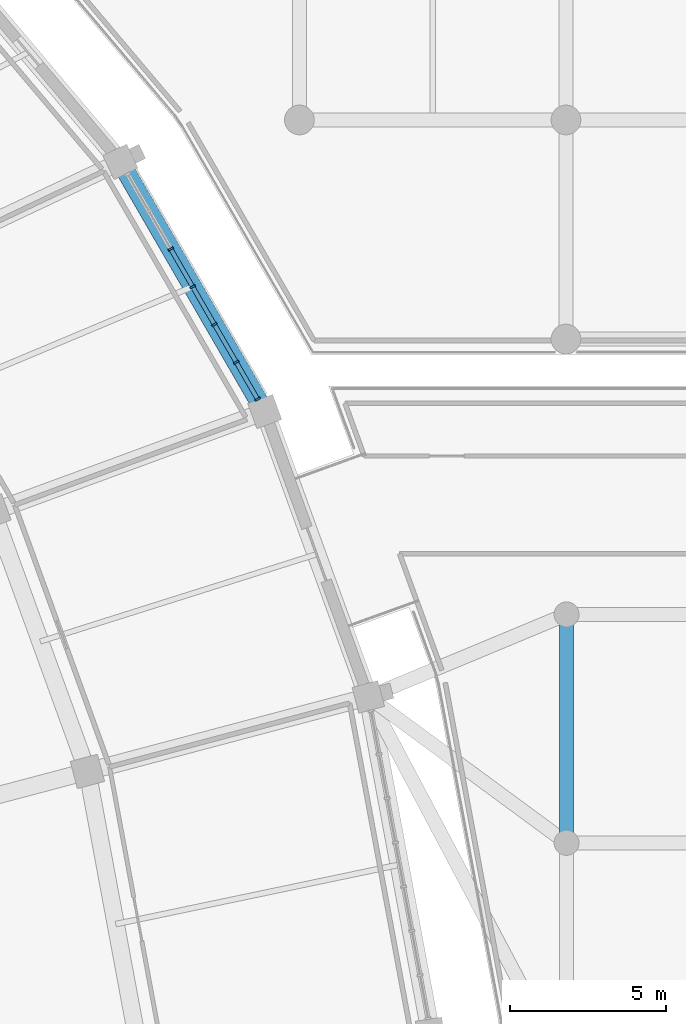
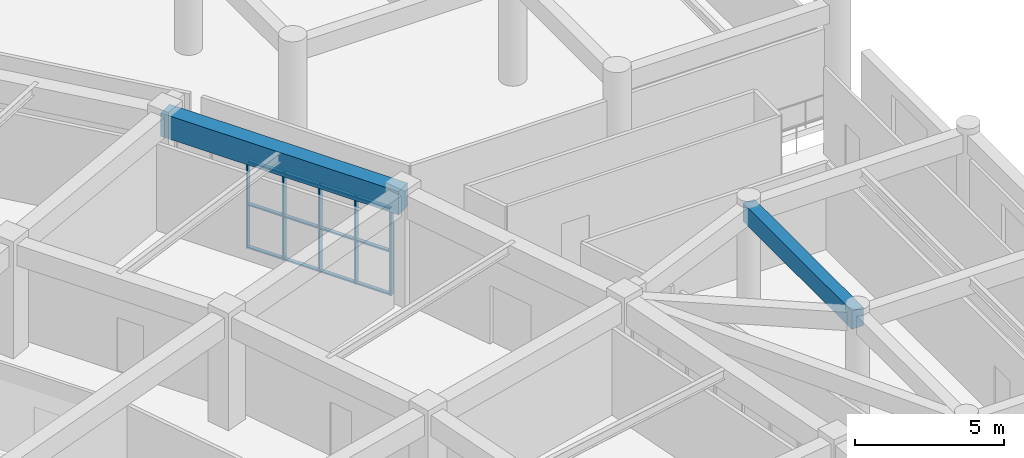
# One storey, part 53 of 152: 17 members, 2 beams, 1 element without a shape of its own.
"""IFC4 building model written with IfcOpenShell, lengths in metres."""

from ifc_helpers import new_model, si_unit, direction, frame, origin, origin_2d, place, context, subcontext, project, spatial, rectangle, extrude, material, layer, layer_set, material_profile, profile_set, type_object, element, aggregate, save


model = new_model("IFC4")

# Units and contexts
model_context = context("Model", 3, precision=1e-05, world=origin(), true_north=direction((0.0, 1.0)))
body_context = subcontext(model_context, "Body", "Model", "MODEL_VIEW")
ifc_project = project(units=[si_unit("LENGTHUNIT", "METRE"), si_unit("AREAUNIT", "SQUARE_METRE"), si_unit("VOLUMEUNIT", "CUBIC_METRE"), si_unit("PLANEANGLEUNIT", "RADIAN"), si_unit("MASSUNIT", "GRAM", prefix="KILO")], contexts=[model_context])

# Site, building, storey
site_placement = place(None, origin())
site = spatial("IfcSite", under=ifc_project, at=site_placement, CompositionType="ELEMENT")
building_placement = place(site_placement, origin())
building = spatial("IfcBuilding", under=site, at=building_placement, Name="Mphavela Belvedere Stadium", CompositionType="ELEMENT")
storey_placement = place(building_placement, frame((0.0, 0.0, 5.39990234375)))
storey = spatial("IfcBuildingStorey", under=building, at=storey_placement, Name="L01", CompositionType="ELEMENT", Elevation=5.39990234375)

# Beams
ifc_material_1 = material(Name="Concrete C40/50", Category="concrete")
ifc_material_profile_1 = material_profile(ifc_material_1, rectangle(XDim=0.60009765625, YDim=0.949951171875, at=origin_2d()), Name="RC 600x950")
ifc_profile_set_1 = profile_set([ifc_material_profile_1], Name="Concrete C40/50")
beam_type_1 = type_object("IfcBeamType", Name="BM-ENTABLATURE-950", PredefinedType="SPANDREL", material=ifc_profile_set_1)
beam_1_placement = place(storey_placement, frame((211.856201171875, 122.682373046875, 4.0751953125), z_axis=(-0.500565297122, 0.865698783248, 0.0), x_axis=(-0.865698783248, -0.500565297122, 0.0)))
element("IfcBeam", 1, at=beam_1_placement, inside=storey, type_object=beam_type_1, Name="Circumferential girder L01 R4-04", PredefinedType="SPANDREL", context=body_context, shape_type="SweptSolid", body=[
    extrude(rectangle(XDim=0.60009765625, YDim=0.949951171875, at=origin_2d()), origin(), (0.0, 0.0, 1.0), 9.217041015625),
])
ifc_material_2 = material(Name="Concrete C40/50", Category="concrete")
ifc_material_profile_2 = material_profile(ifc_material_2, rectangle(XDim=0.449951171875, YDim=0.75, at=origin_2d()), Name="RC 450x750")
ifc_profile_set_2 = profile_set([ifc_material_profile_2], Name="Concrete C40/50")
beam_type_2 = type_object("IfcBeamType", Name="BM-RC450x750", PredefinedType="BEAM", material=ifc_profile_set_2)
beam_2_placement = place(storey_placement, frame((221.5, 108.89990234375, 4.1650390625), z_axis=(0.0, 1.0, 0.0), x_axis=(-1.0, 0.0, 0.0)))
element("IfcBeam", 2, at=beam_2_placement, inside=storey, type_object=beam_type_2, Name="East Planted Eaves Peristyle Colonnade entablature beam Y L01 8-9", PredefinedType="BEAM", context=body_context, shape_type="SweptSolid", body=[
    extrude(rectangle(XDim=0.449951171875, YDim=0.75, at=origin_2d()), origin(), (0.0, 0.0, 1.0), 7.300048828125),
])

# Curtain wall, members
ifc_material_3 = material(Name="Anodised bronze unitised curtain wall framing")
ifc_layer = layer(ifc_material_3, 0.18505859375)
ifc_layer_set = layer_set([ifc_layer], Name="Anodised bronze unitised curtain wall framing")
curtain_wall_type = type_object("IfcCurtainWallType", Name="CW-UNIT-02", PredefinedType="USERDEFINED", material=ifc_layer_set)
curtain_wall_placement = place(storey_placement, origin())
curtain_wall = element("IfcCurtainWall", 3, at=curtain_wall_placement, inside=storey, type_object=curtain_wall_type, Name="Belvedere colonnade curtain wall L01-04", ObjectType="UNITISED CURTAIN WALL", PredefinedType="USERDEFINED")
ifc_material_4 = material(Name="Anodised bronze extruded aluminium", Category="aluminium")
ifc_material_profile_3 = material_profile(ifc_material_4, rectangle(XDim=0.179931640625, YDim=0.06494140625, at=origin_2d()), Name="CW-MUL 180x65")
ifc_profile_set_3 = profile_set([ifc_material_profile_3], Name="Anodised bronze extruded aluminium")
member_type_1 = type_object("IfcMemberType", Name="CWM-180x65", PredefinedType="MULLION", material=ifc_profile_set_3)
member_1_placement = place(storey_placement, frame((211.628173828125, 123.07666015625, 0.0), z_axis=(0.0, 0.0, 1.0), x_axis=(-0.865701507229, -0.500560586125, 0.0)))
member_1 = element("IfcMember", 4, at=member_1_placement, type_object=member_type_1, Name="CW-02 mullion 1", PredefinedType="MULLION", context=body_context, shape_type="SweptSolid", body=[
    extrude(rectangle(XDim=0.179931640625, YDim=0.06494140625, at=origin_2d()), origin(), (0.0, 0.0, 1.0), 3.570068359375),
])
member_2_placement = place(storey_placement, frame((210.946044921875, 124.25634765625, 0.0), z_axis=(0.0, 0.0, 1.0), x_axis=(-0.865701507229, -0.500560586125, 0.0)))
member_2 = element("IfcMember", 5, at=member_2_placement, type_object=member_type_1, Name="CW-02 mullion 2", PredefinedType="MULLION", context=body_context, shape_type="SweptSolid", body=[
    extrude(rectangle(XDim=0.179931640625, YDim=0.06494140625, at=origin_2d()), origin(), (0.0, 0.0, 1.0), 3.570068359375),
])
member_3_placement = place(storey_placement, frame((210.24755859375, 125.464111328125, 0.0), z_axis=(0.0, 0.0, 1.0), x_axis=(-0.865701507229, -0.500560586125, 0.0)))
member_3 = element("IfcMember", 6, at=member_3_placement, type_object=member_type_1, Name="CW-02 mullion 3", PredefinedType="MULLION", context=body_context, shape_type="SweptSolid", body=[
    extrude(rectangle(XDim=0.179931640625, YDim=0.06494140625, at=origin_2d()), origin(), (0.0, 0.0, 1.0), 3.570068359375),
])
member_4_placement = place(storey_placement, frame((209.54931640625, 126.671875, 0.0), z_axis=(0.0, 0.0, 1.0), x_axis=(-0.865701507229, -0.500560586125, 0.0)))
member_4 = element("IfcMember", 7, at=member_4_placement, type_object=member_type_1, Name="CW-02 mullion 4", PredefinedType="MULLION", context=body_context, shape_type="SweptSolid", body=[
    extrude(rectangle(XDim=0.179931640625, YDim=0.06494140625, at=origin_2d()), origin(), (0.0, 0.0, 1.0), 3.570068359375),
])
member_5_placement = place(storey_placement, frame((208.850830078125, 127.879638671875, 0.0), z_axis=(0.0, 0.0, 1.0), x_axis=(-0.865701507229, -0.500560586125, 0.0)))
member_5 = element("IfcMember", 8, at=member_5_placement, type_object=member_type_1, Name="CW-02 mullion 5", PredefinedType="MULLION", context=body_context, shape_type="SweptSolid", body=[
    extrude(rectangle(XDim=0.179931640625, YDim=0.06494140625, at=origin_2d()), origin(), (0.0, 0.0, 1.0), 3.570068359375),
])
ifc_material_5 = material(Name="Anodised bronze extruded aluminium", Category="aluminium")
ifc_material_profile_4 = material_profile(ifc_material_5, rectangle(XDim=0.139892578125, YDim=0.06005859375, at=origin_2d()), Name="CW-TRN 140x60")
ifc_profile_set_4 = profile_set([ifc_material_profile_4], Name="Anodised bronze extruded aluminium")
member_type_2 = type_object("IfcMemberType", Name="CWT-140x60", PredefinedType="USERDEFINED", material=ifc_profile_set_4)
member_6_placement = place(storey_placement, frame((211.61181640625, 123.104736328125, 0.030029296875), z_axis=(-0.500428039274, 0.865778134113, 0.0), x_axis=(-0.865778134113, -0.500428039274, 0.0)))
member_6 = element("IfcMember", 9, at=member_6_placement, type_object=member_type_2, Name="CW-02 transom 1.1", ObjectType="TRANSOM", PredefinedType="USERDEFINED", context=body_context, shape_type="SweptSolid", body=[
    extrude(rectangle(XDim=0.139892578125, YDim=0.06005859375, at=origin_2d()), origin(), (0.0, 0.0, 1.0), 1.297607421875),
])
member_7_placement = place(storey_placement, frame((211.61181640625, 123.104736328125, 1.78515625), z_axis=(-0.500428039274, 0.865778134113, 0.0), x_axis=(-0.865778134113, -0.500428039274, 0.0)))
member_7 = element("IfcMember", 10, at=member_7_placement, type_object=member_type_2, Name="CW-02 transom 1.2", ObjectType="TRANSOM", PredefinedType="USERDEFINED", context=body_context, shape_type="SweptSolid", body=[
    extrude(rectangle(XDim=0.139892578125, YDim=0.06005859375, at=origin_2d()), origin(), (0.0, 0.0, 1.0), 1.297607421875),
])
member_8_placement = place(storey_placement, frame((211.61181640625, 123.104736328125, 3.5400390625), z_axis=(-0.500428039274, 0.865778134113, 0.0), x_axis=(-0.865778134113, -0.500428039274, 0.0)))
member_8 = element("IfcMember", 11, at=member_8_placement, type_object=member_type_2, Name="CW-02 transom 1.3", ObjectType="TRANSOM", PredefinedType="USERDEFINED", context=body_context, shape_type="SweptSolid", body=[
    extrude(rectangle(XDim=0.139892578125, YDim=0.06005859375, at=origin_2d()), origin(), (0.0, 0.0, 1.0), 1.297607421875),
])
member_9_placement = place(storey_placement, frame((210.9296875, 124.284423828125, 0.030029296875), z_axis=(-0.500500799875, 0.865736073711, 0.0), x_axis=(-0.865736073711, -0.500500799875, 0.0)))
member_9 = element("IfcMember", 12, at=member_9_placement, type_object=member_type_2, Name="CW-02 transom 2.1", ObjectType="TRANSOM", PredefinedType="USERDEFINED", context=body_context, shape_type="SweptSolid", body=[
    extrude(rectangle(XDim=0.139892578125, YDim=0.06005859375, at=origin_2d()), origin(), (0.0, 0.0, 1.0), 1.330322265625),
])
member_10_placement = place(storey_placement, frame((210.9296875, 124.284423828125, 1.78515625), z_axis=(-0.500500799875, 0.865736073711, 0.0), x_axis=(-0.865736073711, -0.500500799875, 0.0)))
member_10 = element("IfcMember", 13, at=member_10_placement, type_object=member_type_2, Name="CW-02 transom 2.2", ObjectType="TRANSOM", PredefinedType="USERDEFINED", context=body_context, shape_type="SweptSolid", body=[
    extrude(rectangle(XDim=0.139892578125, YDim=0.06005859375, at=origin_2d()), origin(), (0.0, 0.0, 1.0), 1.330322265625),
])
member_11_placement = place(storey_placement, frame((210.9296875, 124.284423828125, 3.5400390625), z_axis=(-0.500500799875, 0.865736073711, 0.0), x_axis=(-0.865736073711, -0.500500799875, 0.0)))
member_11 = element("IfcMember", 14, at=member_11_placement, type_object=member_type_2, Name="CW-02 transom 2.3", ObjectType="TRANSOM", PredefinedType="USERDEFINED", context=body_context, shape_type="SweptSolid", body=[
    extrude(rectangle(XDim=0.139892578125, YDim=0.06005859375, at=origin_2d()), origin(), (0.0, 0.0, 1.0), 1.330322265625),
])
member_12_placement = place(storey_placement, frame((210.2314453125, 125.4921875, 0.030029296875), z_axis=(-0.500500799875, 0.865736073711, 0.0), x_axis=(-0.865736073711, -0.500500799875, 0.0)))
member_12 = element("IfcMember", 15, at=member_12_placement, type_object=member_type_2, Name="CW-02 transom 3.1", ObjectType="TRANSOM", PredefinedType="USERDEFINED", context=body_context, shape_type="SweptSolid", body=[
    extrude(rectangle(XDim=0.139892578125, YDim=0.06005859375, at=origin_2d()), origin(), (0.0, 0.0, 1.0), 1.330322265625),
])
member_13_placement = place(storey_placement, frame((210.2314453125, 125.4921875, 1.78515625), z_axis=(-0.500500799875, 0.865736073711, 0.0), x_axis=(-0.865736073711, -0.500500799875, 0.0)))
member_13 = element("IfcMember", 16, at=member_13_placement, type_object=member_type_2, Name="CW-02 transom 3.2", ObjectType="TRANSOM", PredefinedType="USERDEFINED", context=body_context, shape_type="SweptSolid", body=[
    extrude(rectangle(XDim=0.139892578125, YDim=0.06005859375, at=origin_2d()), origin(), (0.0, 0.0, 1.0), 1.330322265625),
])
member_14_placement = place(storey_placement, frame((210.2314453125, 125.4921875, 3.5400390625), z_axis=(-0.500500799875, 0.865736073711, 0.0), x_axis=(-0.865736073711, -0.500500799875, 0.0)))
member_14 = element("IfcMember", 17, at=member_14_placement, type_object=member_type_2, Name="CW-02 transom 3.3", ObjectType="TRANSOM", PredefinedType="USERDEFINED", context=body_context, shape_type="SweptSolid", body=[
    extrude(rectangle(XDim=0.139892578125, YDim=0.06005859375, at=origin_2d()), origin(), (0.0, 0.0, 1.0), 1.330322265625),
])
member_15_placement = place(storey_placement, frame((209.532958984375, 126.699951171875, 0.030029296875), z_axis=(-0.500500799875, 0.865736073711, 0.0), x_axis=(-0.865736073711, -0.500500799875, 0.0)))
member_15 = element("IfcMember", 18, at=member_15_placement, type_object=member_type_2, Name="CW-02 transom 4.1", ObjectType="TRANSOM", PredefinedType="USERDEFINED", context=body_context, shape_type="SweptSolid", body=[
    extrude(rectangle(XDim=0.139892578125, YDim=0.06005859375, at=origin_2d()), origin(), (0.0, 0.0, 1.0), 1.330322265625),
])
member_16_placement = place(storey_placement, frame((209.532958984375, 126.699951171875, 1.78515625), z_axis=(-0.500500799875, 0.865736073711, 0.0), x_axis=(-0.865736073711, -0.500500799875, 0.0)))
member_16 = element("IfcMember", 19, at=member_16_placement, type_object=member_type_2, Name="CW-02 transom 4.2", ObjectType="TRANSOM", PredefinedType="USERDEFINED", context=body_context, shape_type="SweptSolid", body=[
    extrude(rectangle(XDim=0.139892578125, YDim=0.06005859375, at=origin_2d()), origin(), (0.0, 0.0, 1.0), 1.330322265625),
])
member_17_placement = place(storey_placement, frame((209.532958984375, 126.699951171875, 3.5400390625), z_axis=(-0.500500799875, 0.865736073711, 0.0), x_axis=(-0.865736073711, -0.500500799875, 0.0)))
member_17 = element("IfcMember", 20, at=member_17_placement, type_object=member_type_2, Name="CW-02 transom 4.3", ObjectType="TRANSOM", PredefinedType="USERDEFINED", context=body_context, shape_type="SweptSolid", body=[
    extrude(rectangle(XDim=0.139892578125, YDim=0.06005859375, at=origin_2d()), origin(), (0.0, 0.0, 1.0), 1.330322265625),
])
aggregate(curtain_wall, [member_1, member_2, member_3, member_4, member_5, member_6, member_7, member_8, member_9, member_10, member_11, member_12, member_13, member_14, member_15, member_16, member_17])

save(model, "model.ifc")
